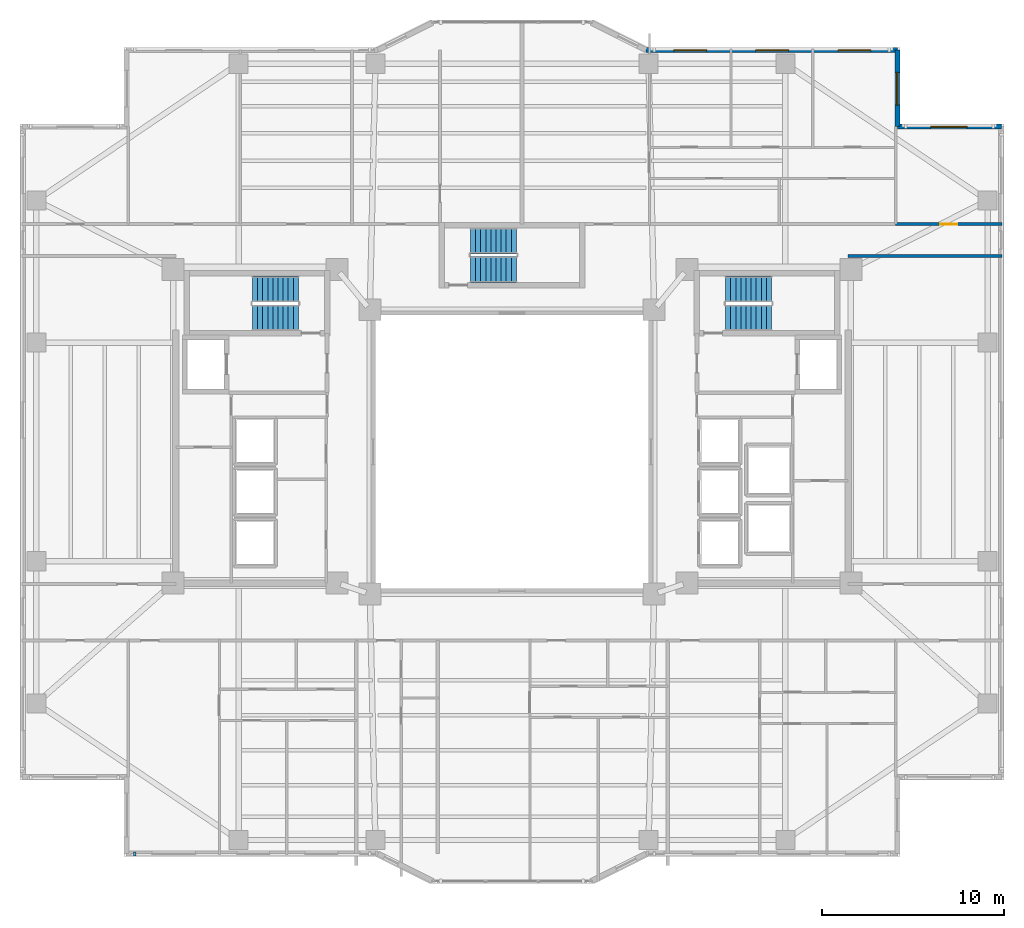
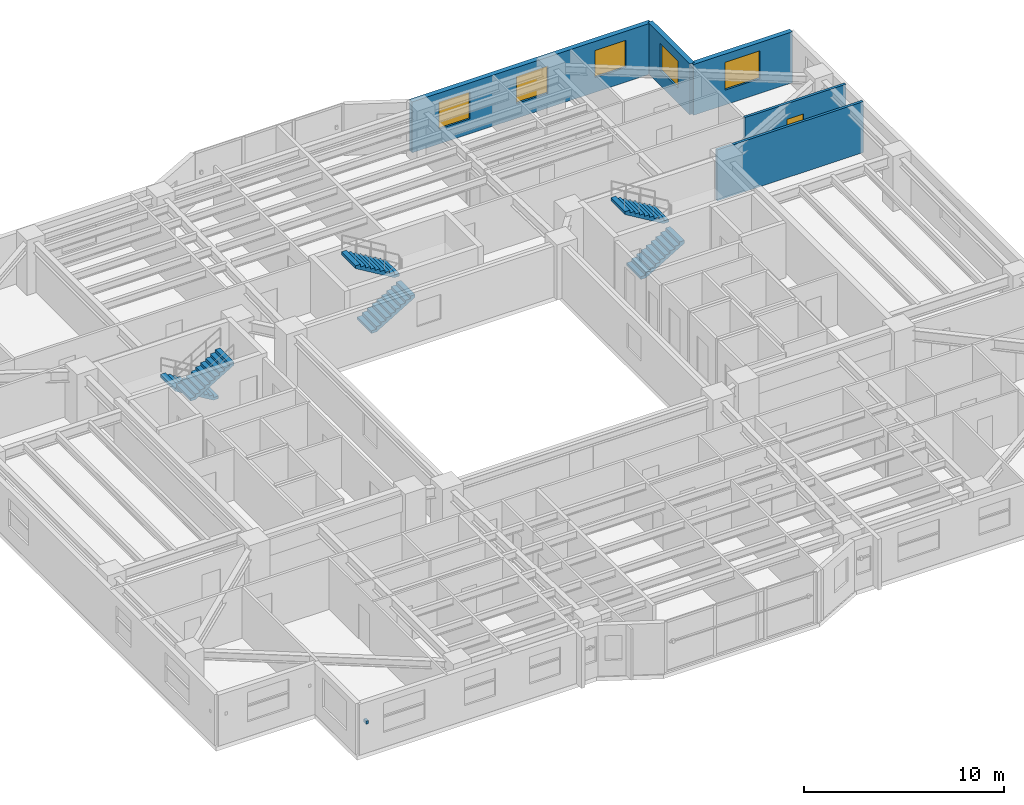
# One storey, part 11 of 18: 6 stair flights, 5 walls, 5 windows, 1 discrete accessory, 1 door, 6 openings, 3 elements without a shape of their own.
"""IFC4 building model written with IfcOpenShell, lengths in metres."""

from ifc_helpers import new_model, si_unit, direction, frame, frame_2d, origin, origin_2d, place, context, subcontext, project, spatial, polyline, rectangle, outline, extrude, material, layer, layer_set, type_object, element, fill, aggregate, save


model = new_model("IFC4")

# Units and contexts
model_context = context("Model", 3, precision=1e-05, world=origin(), true_north=direction((0.0, 1.0)))
body_context = subcontext(model_context, "Body", "Model", "MODEL_VIEW")
ifc_project = project(units=[si_unit("LENGTHUNIT", "METRE"), si_unit("AREAUNIT", "SQUARE_METRE"), si_unit("VOLUMEUNIT", "CUBIC_METRE"), si_unit("PLANEANGLEUNIT", "RADIAN"), si_unit("MASSUNIT", "GRAM", prefix="KILO")], contexts=[model_context])

# Site, building, storey
site_placement = place(None, origin())
site = spatial("IfcSite", under=ifc_project, at=site_placement, CompositionType="ELEMENT")
building_placement = place(site_placement, origin())
building = spatial("IfcBuilding", under=site, at=building_placement, Name="Tarnavaz Court Tower", CompositionType="ELEMENT")
storey_placement = place(building_placement, frame((0.0, 0.0, 85.0)))
storey = spatial("IfcBuildingStorey", under=building, at=storey_placement, Name="L22", CompositionType="ELEMENT", Elevation=85.0)

# Wall, openings, windows
ifc_material_1 = material(Name="Precast Concrete C40/50", Category="concrete")
ifc_layer_1 = layer(ifc_material_1, 0.280029296875)
ifc_layer_set_1 = layer_set([ifc_layer_1], Name="Precast Concrete C40/50")
wall_type_1 = type_object("IfcWallType", Name="WL-EXT-280", PredefinedType="SOLIDWALL", material=ifc_layer_set_1)
wall_1_placement = place(storey_placement, frame((7.35009765625, 22.050048828125, 0.0), z_axis=(0.0, 0.0, 1.0), x_axis=(1.0, 0.0, 0.0)))
wall_1 = element("IfcWall", 1, at=wall_1_placement, inside=storey, type_object=wall_type_1, Name="L22 Exterior Terracotta Facade Wall 09", PredefinedType="SOLIDWALL", context=body_context, shape_type="SweptSolid", body=[
    extrude(rectangle(XDim=13.7998046875, YDim=0.280029296875, at=frame_2d((6.89990234375, 0.0))), origin(), (0.0, 0.0, 1.0), 3.10009765625),
])
opening_1_placement = place(wall_1_placement, frame((1.53369140625, 0.0, 0.89990234375)))
opening_1 = element("IfcOpeningElement", 2, at=opening_1_placement, cuts=wall_1, Name="Opening W01", PredefinedType="OPENING", context=body_context, shape_type="SweptSolid", body=[
    extrude(rectangle(XDim=1.800048828125, YDim=1.64990234375, at=frame_2d((0.89990234375, 0.824951171875))), frame((0.0, 0.14990234375, 0.0), z_axis=(0.0, -1.0, 0.0), x_axis=(1.0, 0.0, 0.0)), (0.0, 0.0, 1.0), 0.300048828125),
])
opening_2_placement = place(wall_1_placement, frame((6.025146484375, 0.0, 0.89990234375)))
opening_2 = element("IfcOpeningElement", 3, at=opening_2_placement, cuts=wall_1, Name="Opening W01", PredefinedType="OPENING", context=body_context, shape_type="SweptSolid", body=[
    extrude(rectangle(XDim=1.800048828125, YDim=1.64990234375, at=frame_2d((0.89990234375, 0.824951171875))), frame((0.0, 0.14990234375, 0.0), z_axis=(0.0, -1.0, 0.0), x_axis=(1.0, 0.0, 0.0)), (0.0, 0.0, 1.0), 0.300048828125),
])
opening_3_placement = place(wall_1_placement, frame((10.54150390625, 0.0, 0.89990234375)))
opening_3 = element("IfcOpeningElement", 4, at=opening_3_placement, cuts=wall_1, Name="Opening W01", PredefinedType="OPENING", context=body_context, shape_type="SweptSolid", body=[
    extrude(rectangle(XDim=1.800048828125, YDim=1.64990234375, at=frame_2d((0.89990234375, 0.824951171875))), frame((0.0, 0.14990234375, 0.0), z_axis=(0.0, -1.0, 0.0), x_axis=(1.0, 0.0, 0.0)), (0.0, 0.0, 1.0), 0.300048828125),
])
ifc_material_2 = material(Name="Double-Glazed Solar Low-E Glass", Category="glass")
window_type_1 = type_object("IfcWindowType", Name="WN-APT-1800", PartitioningType="DOUBLE_PANEL_VERTICAL", PredefinedType="WINDOW", material=ifc_material_2)
window_1_placement = place(opening_1_placement, origin())
window_1 = element("IfcWindow", 5, at=window_1_placement, inside=storey, type_object=window_type_1, Name="L22 Flat 01 Principal Bedroom Window", OverallHeight=1.64990234375, OverallWidth=1.800048828125, PartitioningType="SINGLE_PANEL", PredefinedType="WINDOW", context=body_context, shape_type="SweptSolid", body=[
    extrude(rectangle(XDim=1.800048828125, YDim=1.64990234375, at=frame_2d((0.89990234375, 0.824951171875))), frame((0.0, 0.030029296875, 0.0), z_axis=(0.0, -1.0, 0.0), x_axis=(1.0, 0.0, 0.0)), (0.0, 0.0, 1.0), 0.06005859375),
])
fill(opening_1, window_1)
window_2_placement = place(opening_2_placement, origin())
window_2 = element("IfcWindow", 6, at=window_2_placement, inside=storey, type_object=window_type_1, Name="L22 Flat 01 Bedroom 2 Window", OverallHeight=1.64990234375, OverallWidth=1.800048828125, PartitioningType="SINGLE_PANEL", PredefinedType="WINDOW", context=body_context, shape_type="SweptSolid", body=[
    extrude(rectangle(XDim=1.800048828125, YDim=1.64990234375, at=frame_2d((0.89990234375, 0.824951171875))), frame((0.0, 0.030029296875, 0.0), z_axis=(0.0, -1.0, 0.0), x_axis=(1.0, 0.0, 0.0)), (0.0, 0.0, 1.0), 0.06005859375),
])
fill(opening_2, window_2)
window_3_placement = place(opening_3_placement, origin())
window_3 = element("IfcWindow", 7, at=window_3_placement, inside=storey, type_object=window_type_1, Name="L22 Flat 01 Bedroom 3 Window", OverallHeight=1.64990234375, OverallWidth=1.800048828125, PartitioningType="SINGLE_PANEL", PredefinedType="WINDOW", context=body_context, shape_type="SweptSolid", body=[
    extrude(rectangle(XDim=1.800048828125, YDim=1.64990234375, at=frame_2d((0.89990234375, 0.824951171875))), frame((0.0, 0.030029296875, 0.0), z_axis=(0.0, -1.0, 0.0), x_axis=(1.0, 0.0, 0.0)), (0.0, 0.0, 1.0), 0.06005859375),
])
fill(opening_3, window_3)

# Wall, opening, window
wall_2_placement = place(storey_placement, frame((21.14990234375, 22.050048828125, 0.0), z_axis=(0.0, 0.0, 1.0), x_axis=(0.0, -1.0, 0.0)))
wall_2 = element("IfcWall", 8, at=wall_2_placement, inside=storey, type_object=wall_type_1, Name="L22 Exterior Terracotta Facade Wall 10", PredefinedType="SOLIDWALL", context=body_context, shape_type="SweptSolid", body=[
    extrude(rectangle(XDim=4.199951171875, YDim=0.280029296875, at=frame_2d((2.10009765625, 0.0))), origin(), (0.0, 0.0, 1.0), 3.10009765625),
])
opening_4_placement = place(wall_2_placement, frame((1.2177734375, 0.0, 0.89990234375)))
opening_4 = element("IfcOpeningElement", 9, at=opening_4_placement, cuts=wall_2, Name="Opening W01", PredefinedType="OPENING", context=body_context, shape_type="SweptSolid", body=[
    extrude(rectangle(XDim=1.800048828125, YDim=1.64990234375, at=frame_2d((0.89990234375, 0.824951171875))), frame((0.0, 0.14990234375, 0.0), z_axis=(0.0, -1.0, 0.0), x_axis=(1.0, 0.0, 0.0)), (0.0, 0.0, 1.0), 0.300048828125),
])
window_4_placement = place(opening_4_placement, origin())
window_4 = element("IfcWindow", 10, at=window_4_placement, inside=storey, type_object=window_type_1, Name="L22 Flat 01 Bedroom 3 Window", OverallHeight=1.64990234375, OverallWidth=1.800048828125, PartitioningType="SINGLE_PANEL", PredefinedType="WINDOW", context=body_context, shape_type="SweptSolid", body=[
    extrude(rectangle(XDim=1.800048828125, YDim=1.64990234375, at=frame_2d((0.89990234375, 0.824951171875))), frame((0.0, 0.030029296875, 0.0), z_axis=(0.0, -1.0, 0.0), x_axis=(1.0, 0.0, 0.0)), (0.0, 0.0, 1.0), 0.06005859375),
])
fill(opening_4, window_4)

wall_3_placement = place(storey_placement, frame((21.14990234375, 17.85009765625, 0.0), z_axis=(0.0, 0.0, 1.0), x_axis=(1.0, 0.0, 0.0)))
wall_3 = element("IfcWall", 11, at=wall_3_placement, inside=storey, type_object=wall_type_1, Name="L22 Exterior Terracotta Facade Wall 11", PredefinedType="SOLIDWALL", context=body_context, shape_type="SweptSolid", body=[
    extrude(rectangle(XDim=5.7001953125, YDim=0.280029296875, at=frame_2d((2.85009765625, 0.0))), origin(), (0.0, 0.0, 1.0), 3.10009765625),
])
opening_5_placement = place(wall_3_placement, frame((1.824951171875, 0.0, 0.89990234375)))
opening_5 = element("IfcOpeningElement", 12, at=opening_5_placement, cuts=wall_3, Name="Opening W08", PredefinedType="OPENING", context=body_context, shape_type="SweptSolid", body=[
    extrude(rectangle(XDim=2.0, YDim=1.699951171875, at=frame_2d((1.0, 0.85009765625))), frame((0.0, 0.14990234375, 0.0), z_axis=(0.0, -1.0, 0.0), x_axis=(1.0, 0.0, 0.0)), (0.0, 0.0, 1.0), 0.300048828125),
])
window_type_2 = type_object("IfcWindowType", Name="WN-APT-2000", PartitioningType="DOUBLE_PANEL_VERTICAL", PredefinedType="WINDOW", material=ifc_material_2)
window_5_placement = place(opening_5_placement, origin())
window_5 = element("IfcWindow", 13, at=window_5_placement, inside=storey, type_object=window_type_2, Name="L22 North-East Corner Sunroom Study Window", OverallHeight=1.699951171875, OverallWidth=2.0, PartitioningType="SINGLE_PANEL", PredefinedType="WINDOW", context=body_context, shape_type="SweptSolid", body=[
    extrude(rectangle(XDim=2.0, YDim=1.699951171875, at=frame_2d((1.0, 0.85009765625))), frame((0.0, 0.030029296875, 0.0), z_axis=(0.0, -1.0, 0.0), x_axis=(1.0, 0.0, 0.0)), (0.0, 0.0, 1.0), 0.06005859375),
])
fill(opening_5, window_5)

# Wall
ifc_material_3 = material(Name="Gypsum Fire-Board on Acoustic Metal Stud", Category="masonry")
ifc_layer_2 = layer(ifc_material_3, 0.14990234375)
ifc_layer_set_2 = layer_set([ifc_layer_2], Name="Gypsum Fire-Board on Acoustic Metal Stud")
wall_type_2 = type_object("IfcWallType", Name="WL-FIRE-150", PredefinedType="PARTITIONING", material=ifc_layer_set_2)
wall_4_placement = place(storey_placement, frame((18.449951171875, 10.75, 0.0), z_axis=(0.0, 0.0, 1.0), x_axis=(1.0, 0.0, 0.0)))
element("IfcWall", 14, at=wall_4_placement, inside=storey, type_object=wall_type_2, Name="L22 Interior Partition 114", PredefinedType="PARTITIONING", context=body_context, shape_type="SweptSolid", body=[
    extrude(rectangle(XDim=8.429931640625, YDim=0.14990234375, at=frame_2d((4.21484375, 0.0))), origin(), (0.0, 0.0, 1.0), 3.10009765625),
])

# Wall, opening, door
wall_5_placement = place(storey_placement, frame((21.050048828125, 12.5, 0.0), z_axis=(0.0, 0.0, 1.0), x_axis=(1.0, 0.0, 0.0)))
wall_5 = element("IfcWall", 15, at=wall_5_placement, inside=storey, type_object=wall_type_2, Name="L22 Interior Partition 120", PredefinedType="PARTITIONING", context=body_context, shape_type="SweptSolid", body=[
    extrude(rectangle(XDim=5.829833984375, YDim=0.14990234375, at=frame_2d((2.9150390625, 0.0))), origin(), (0.0, 0.0, 1.0), 3.10009765625),
])
opening_6_placement = place(wall_5_placement, frame((2.43994140625, 0.0, 0.0)))
opening_6 = element("IfcOpeningElement", 16, at=opening_6_placement, cuts=wall_5, Name="Opening D13", PredefinedType="OPENING", context=body_context, shape_type="SweptSolid", body=[
    extrude(rectangle(XDim=0.949951171875, YDim=2.14990234375, at=frame_2d((0.47509765625, 1.074951171875))), frame((0.0, 0.0849609375, 0.0), z_axis=(0.0, -1.0, 0.0), x_axis=(1.0, 0.0, 0.0)), (0.0, 0.0, 1.0), 0.169921875),
])
ifc_material_4 = material(Name="Engineered Oak Timber", Category="wood")
door_type = type_object("IfcDoorType", Name="DR-INT-950", OperationType="NOTDEFINED", PredefinedType="DOOR", material=ifc_material_4)
door_placement = place(opening_6_placement, origin())
door = element("IfcDoor", 17, at=door_placement, inside=storey, type_object=door_type, Name="L22 NE Sunroom Door", OperationType="SINGLE_SWING_RIGHT", OverallHeight=2.14990234375, OverallWidth=0.949951171875, PredefinedType="DOOR", context=body_context, shape_type="SweptSolid", body=[
    extrude(rectangle(XDim=0.949951171875, YDim=2.14990234375, at=frame_2d((0.47509765625, 1.074951171875))), frame((0.0, 0.02490234375, 0.0), z_axis=(0.0, -1.0, 0.0), x_axis=(1.0, 0.0, 0.0)), (0.0, 0.0, 1.0), 0.050048828125),
])
fill(opening_6, door)

# Stair, stair flights
ifc_material_5 = material(Name="Concrete C40/50", Category="concrete")
stair_type = type_object("IfcStairType", Name="ST-TWR-20R", PredefinedType="HALF_TURN_STAIR", material=ifc_material_5)
stair_1_placement = place(storey_placement, origin())
stair_1 = element("IfcStair", 18, at=stair_1_placement, inside=storey, type_object=stair_type, Name="L22 West Core Pressurized Exit Stair ST-W1", PredefinedType="HALF_TURN_STAIR")
stair_flight_type = type_object("IfcStairFlightType", Name="SFL-RC-20R", PredefinedType="STRAIGHT", material=ifc_material_5)
stair_flight_1_placement = place(storey_placement, frame((-11.719970703125, 8.929931640625, 0.0), z_axis=(0.0, 0.0, 1.0), x_axis=(-1.0, 0.0, 0.0)))
stair_flight_1 = element("IfcStairFlight", 19, at=stair_flight_1_placement, type_object=stair_flight_type, Name="ST-W1 flight 1", NumberOfRisers=10, NumberOfTreads=9, PredefinedType="STRAIGHT", RiserHeight=0.1675, TreadLength=0.28, context=body_context, shape_type="SweptSolid", body=[
    extrude(outline(polyline([(0.0, 0.0), (0.0, 0.16748046875), (0.280029296875, 0.16748046875), (0.280029296875, 0.3349609375), (0.56005859375, 0.3349609375), (0.56005859375, 0.50244140625), (0.840087890625, 0.50244140625), (0.840087890625, 0.669921875), (1.1201171875, 0.669921875), (1.1201171875, 0.83740234375), (1.39990234375, 0.83740234375), (1.39990234375, 1.0048828125), (1.679931640625, 1.0048828125), (1.679931640625, 1.172607421875), (1.9599609375, 1.172607421875), (1.9599609375, 1.340087890625), (2.239990234375, 1.340087890625), (2.239990234375, 1.507568359375), (2.52001953125, 1.507568359375), (2.52001953125, 1.675048828125), (2.52001953125, 1.332763671875), (0.2919921875, 0.0), (0.0, 0.0)])), frame((0.0, 0.7099609375, 0.0), z_axis=(0.0, -1.0, 0.0), x_axis=(1.0, 0.0, 0.0)), (0.0, 0.0, 1.0), 1.419921875),
])
stair_flight_2_placement = place(storey_placement, frame((-14.239990234375, 7.360107421875, 1.675048828125), z_axis=(0.0, 0.0, 1.0), x_axis=(1.0, 0.0, 0.0)))
stair_flight_2 = element("IfcStairFlight", 20, at=stair_flight_2_placement, type_object=stair_flight_type, Name="ST-W1 flight 2", NumberOfRisers=10, NumberOfTreads=9, PredefinedType="STRAIGHT", RiserHeight=0.1675, TreadLength=0.28, context=body_context, shape_type="SweptSolid", body=[
    extrude(outline(polyline([(0.0, 0.0), (0.0, 0.16748046875), (0.280029296875, 0.16748046875), (0.280029296875, 0.3349609375), (0.56005859375, 0.3349609375), (0.56005859375, 0.50244140625), (0.840087890625, 0.50244140625), (0.840087890625, 0.669921875), (1.1201171875, 0.669921875), (1.1201171875, 0.83740234375), (1.39990234375, 0.83740234375), (1.39990234375, 1.0048828125), (1.679931640625, 1.0048828125), (1.679931640625, 1.172607421875), (1.9599609375, 1.172607421875), (1.9599609375, 1.340087890625), (2.239990234375, 1.340087890625), (2.239990234375, 1.507568359375), (2.52001953125, 1.507568359375), (2.52001953125, 1.675048828125), (2.52001953125, 1.332763671875), (0.2919921875, 0.0), (0.0, 0.0)])), frame((0.0, 0.7099609375, 0.0), z_axis=(0.0, -1.0, 0.0), x_axis=(1.0, 0.0, 0.0)), (0.0, 0.0, 1.0), 1.419921875),
])
aggregate(stair_1, [stair_flight_1, stair_flight_2])

stair_2_placement = place(storey_placement, origin())
stair_2 = element("IfcStair", 21, at=stair_2_placement, inside=storey, type_object=stair_type, Name="L22 East Core Pressurized Exit Stair ST-E1", PredefinedType="HALF_TURN_STAIR")
stair_flight_3_placement = place(storey_placement, frame((11.719970703125, 7.360107421875, 0.0), z_axis=(0.0, 0.0, 1.0), x_axis=(1.0, 0.0, 0.0)))
stair_flight_3 = element("IfcStairFlight", 22, at=stair_flight_3_placement, type_object=stair_flight_type, Name="ST-E1 flight 1", NumberOfRisers=10, NumberOfTreads=9, PredefinedType="STRAIGHT", RiserHeight=0.1675, TreadLength=0.28, context=body_context, shape_type="SweptSolid", body=[
    extrude(outline(polyline([(0.0, 0.0), (0.0, 0.16748046875), (0.280029296875, 0.16748046875), (0.280029296875, 0.3349609375), (0.56005859375, 0.3349609375), (0.56005859375, 0.50244140625), (0.840087890625, 0.50244140625), (0.840087890625, 0.669921875), (1.1201171875, 0.669921875), (1.1201171875, 0.83740234375), (1.39990234375, 0.83740234375), (1.39990234375, 1.0048828125), (1.679931640625, 1.0048828125), (1.679931640625, 1.172607421875), (1.9599609375, 1.172607421875), (1.9599609375, 1.340087890625), (2.239990234375, 1.340087890625), (2.239990234375, 1.507568359375), (2.52001953125, 1.507568359375), (2.52001953125, 1.675048828125), (2.52001953125, 1.332763671875), (0.2919921875, 0.0), (0.0, 0.0)])), frame((0.0, 0.7099609375, 0.0), z_axis=(0.0, -1.0, 0.0), x_axis=(1.0, 0.0, 0.0)), (0.0, 0.0, 1.0), 1.419921875),
])
stair_flight_4_placement = place(storey_placement, frame((14.239990234375, 8.929931640625, 1.675048828125), z_axis=(0.0, 0.0, 1.0), x_axis=(-1.0, 0.0, 0.0)))
stair_flight_4 = element("IfcStairFlight", 23, at=stair_flight_4_placement, type_object=stair_flight_type, Name="ST-E1 flight 2", NumberOfRisers=10, NumberOfTreads=9, PredefinedType="STRAIGHT", RiserHeight=0.1675, TreadLength=0.28, context=body_context, shape_type="SweptSolid", body=[
    extrude(outline(polyline([(0.0, 0.0), (0.0, 0.16748046875), (0.280029296875, 0.16748046875), (0.280029296875, 0.3349609375), (0.56005859375, 0.3349609375), (0.56005859375, 0.50244140625), (0.840087890625, 0.50244140625), (0.840087890625, 0.669921875), (1.1201171875, 0.669921875), (1.1201171875, 0.83740234375), (1.39990234375, 0.83740234375), (1.39990234375, 1.0048828125), (1.679931640625, 1.0048828125), (1.679931640625, 1.172607421875), (1.9599609375, 1.172607421875), (1.9599609375, 1.340087890625), (2.239990234375, 1.340087890625), (2.239990234375, 1.507568359375), (2.52001953125, 1.507568359375), (2.52001953125, 1.675048828125), (2.52001953125, 1.332763671875), (0.2919921875, 0.0), (0.0, 0.0)])), frame((0.0, 0.7099609375, 0.0), z_axis=(0.0, -1.0, 0.0), x_axis=(1.0, 0.0, 0.0)), (0.0, 0.0, 1.0), 1.419921875),
])
aggregate(stair_2, [stair_flight_3, stair_flight_4])

stair_3_placement = place(storey_placement, origin())
stair_3 = element("IfcStair", 24, at=stair_3_placement, inside=storey, type_object=stair_type, Name="L22 North Ring Pressurized Exit Stair ST-N1", PredefinedType="HALF_TURN_STAIR")
stair_flight_5_placement = place(storey_placement, frame((-2.280029296875, 10.010009765625, 0.0), z_axis=(0.0, 0.0, 1.0), x_axis=(1.0, 0.0, 0.0)))
stair_flight_5 = element("IfcStairFlight", 25, at=stair_flight_5_placement, type_object=stair_flight_type, Name="ST-N1 flight 1", NumberOfRisers=10, NumberOfTreads=9, PredefinedType="STRAIGHT", RiserHeight=0.1675, TreadLength=0.28, context=body_context, shape_type="SweptSolid", body=[
    extrude(outline(polyline([(0.0, 0.0), (0.0, 0.16748046875), (0.280029296875, 0.16748046875), (0.280029296875, 0.3349609375), (0.56005859375, 0.3349609375), (0.56005859375, 0.50244140625), (0.840087890625, 0.50244140625), (0.840087890625, 0.669921875), (1.1201171875, 0.669921875), (1.1201171875, 0.83740234375), (1.39990234375, 0.83740234375), (1.39990234375, 1.0048828125), (1.679931640625, 1.0048828125), (1.679931640625, 1.172607421875), (1.9599609375, 1.172607421875), (1.9599609375, 1.340087890625), (2.239990234375, 1.340087890625), (2.239990234375, 1.507568359375), (2.52001953125, 1.507568359375), (2.52001953125, 1.675048828125), (2.52001953125, 1.332763671875), (0.2919921875, 0.0), (0.0, 0.0)])), frame((0.0, 0.7099609375, 0.0), z_axis=(0.0, -1.0, 0.0), x_axis=(1.0, 0.0, 0.0)), (0.0, 0.0, 1.0), 1.419921875),
])
stair_flight_6_placement = place(storey_placement, frame((0.239990234375, 11.580078125, 1.675048828125), z_axis=(0.0, 0.0, 1.0), x_axis=(-1.0, 0.0, 0.0)))
stair_flight_6 = element("IfcStairFlight", 26, at=stair_flight_6_placement, type_object=stair_flight_type, Name="ST-N1 flight 2", NumberOfRisers=10, NumberOfTreads=9, PredefinedType="STRAIGHT", RiserHeight=0.1675, TreadLength=0.28, context=body_context, shape_type="SweptSolid", body=[
    extrude(outline(polyline([(0.0, 0.0), (0.0, 0.16748046875), (0.280029296875, 0.16748046875), (0.280029296875, 0.3349609375), (0.56005859375, 0.3349609375), (0.56005859375, 0.50244140625), (0.840087890625, 0.50244140625), (0.840087890625, 0.669921875), (1.1201171875, 0.669921875), (1.1201171875, 0.83740234375), (1.39990234375, 0.83740234375), (1.39990234375, 1.0048828125), (1.679931640625, 1.0048828125), (1.679931640625, 1.172607421875), (1.9599609375, 1.172607421875), (1.9599609375, 1.340087890625), (2.239990234375, 1.340087890625), (2.239990234375, 1.507568359375), (2.52001953125, 1.507568359375), (2.52001953125, 1.675048828125), (2.52001953125, 1.332763671875), (0.2919921875, 0.0), (0.0, 0.0)])), frame((0.0, 0.7099609375, 0.0), z_axis=(0.0, -1.0, 0.0), x_axis=(1.0, 0.0, 0.0)), (0.0, 0.0, 1.0), 1.419921875),
])
aggregate(stair_3, [stair_flight_5, stair_flight_6])

# Discrete accessory
ifc_material_6 = material(Name="Anodised Aluminium 6063-T6", Category="aluminium")
discrete_accessory_type = type_object("IfcDiscreteAccessoryType", Name="DA-BRKT-ALU", PredefinedType="BRACKET", material=ifc_material_6)
discrete_accessory_placement = place(storey_placement, frame((-20.699951171875, -22.070068359375, 1.75), z_axis=(0.0, 0.0, 1.0), x_axis=(-1.0, 0.0, 0.0)))
element("IfcDiscreteAccessory", 27, at=discrete_accessory_placement, inside=storey, type_object=discrete_accessory_type, Name="L22 Baguette Outrigger Bracket FBG19-2", PredefinedType="BRACKET", context=body_context, shape_type="SweptSolid", body=[
    extrude(rectangle(XDim=0.139892578125, YDim=0.239990234375, at=origin_2d()), origin(), (0.0, 0.0, 1.0), 0.199951171875),
])

save(model, "model.ifc")
